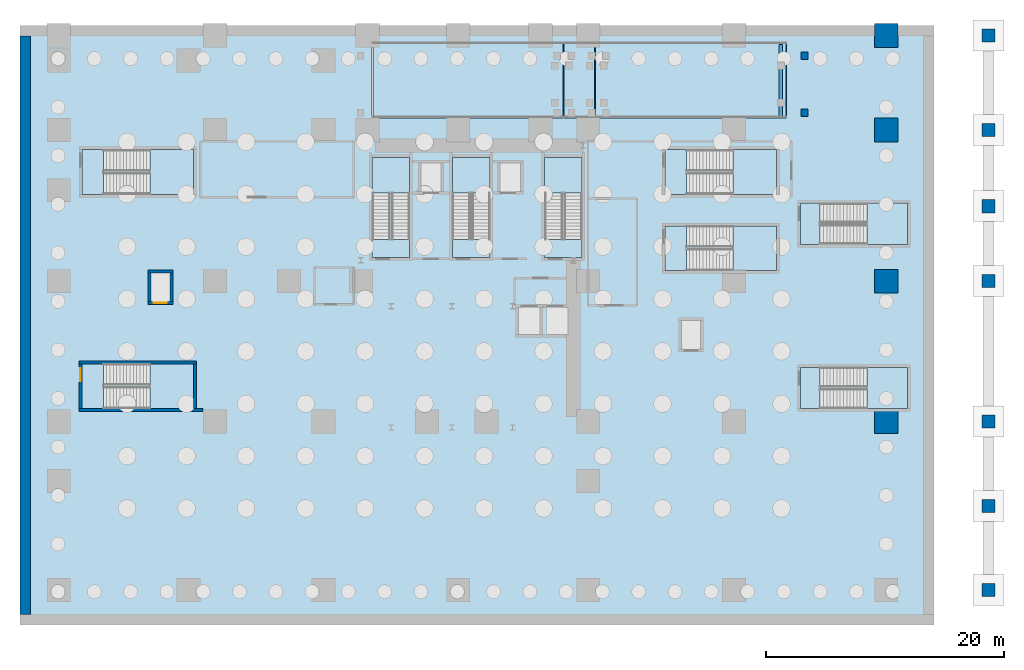
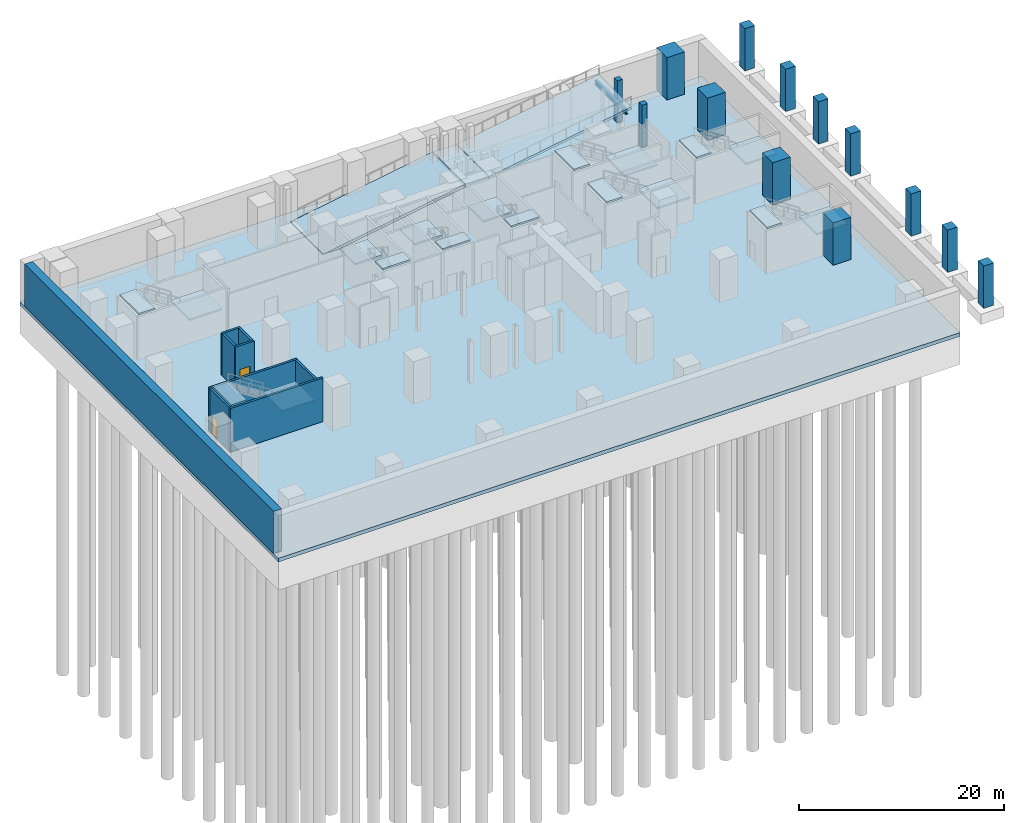
# One storey, part 3 of 14: 22 slabs, 13 columns, 9 walls, 2 doors, 1 beam, 2 openings, 9 elements without a shape of their own.
"""IFC4 building model written with IfcOpenShell, lengths in metres."""

from ifc_helpers import new_model, si_unit, direction, frame, frame_2d, origin, origin_2d, place, context, subcontext, project, spatial, polyline, rectangle, i_section, outline, extrude, source, transform, mapped, material, layer, layer_set, material_profile, profile_set, type_object, element, fill, aggregate, save


model = new_model("IFC4")

# Units and contexts
model_context = context("Model", 3, precision=1e-05, world=origin(), true_north=direction((0.0, 1.0)))
body_context = subcontext(model_context, "Body", "Model", "MODEL_VIEW")
ifc_project = project(units=[si_unit("LENGTHUNIT", "METRE"), si_unit("AREAUNIT", "SQUARE_METRE"), si_unit("VOLUMEUNIT", "CUBIC_METRE"), si_unit("PLANEANGLEUNIT", "RADIAN"), si_unit("MASSUNIT", "GRAM", prefix="KILO")], contexts=[model_context])

# Site, building, storey
site_placement = place(None, origin())
site = spatial("IfcSite", under=ifc_project, at=site_placement, CompositionType="ELEMENT")
building_placement = place(site_placement, origin())
building = spatial("IfcBuilding", under=site, at=building_placement, Name="Vardaveli Station Tower", CompositionType="ELEMENT")
storey_placement = place(building_placement, frame((0.0, 0.0, -11.39990234375)))
storey = spatial("IfcBuildingStorey", under=building, at=storey_placement, Name="B02", CompositionType="ELEMENT", Elevation=-11.39990234375)

# Columns
ifc_material_1 = material(Name="Concrete C70/85", Category="concrete")
ifc_material_profile_1 = material_profile(ifc_material_1, rectangle(XDim=2.0, YDim=2.0, at=origin_2d()), Name="SC 2000x2000")
ifc_profile_set_1 = profile_set([ifc_material_profile_1], Name="Concrete C70/85")
column_type_1 = type_object("IfcColumnType", Name="COL-SC-2000", PredefinedType="COLUMN", material=ifc_profile_set_1)
shared_shape_1 = source(origin(), body_context, "Body", "SweptSolid", [
    extrude(rectangle(XDim=2.0, YDim=2.0, at=origin_2d()), origin(), (0.0, 0.0, 1.0), 5.039794921875),
])
for number, where, z_axis, x_axis, name in (
    (1, (72.800048828125, 17.10009765625, 0.0), (0.0, 0.0, 1.0), (1.0, 0.0, 0.0), "COL-B02-SC15"),
    (2, (72.800048828125, 28.89990234375, 0.0), (0.0, 0.0, 1.0), (1.0, 0.0, 0.0), "COL-B02-SC19"),
    (3, (72.800048828125, 41.60009765625, 0.0), (0.0, 0.0, 1.0), (1.0, 0.0, 0.0), "COL-B02-SC27"),
    (4, (72.800048828125, 49.550048828125, 0.0), (0.0, 0.0, 1.0), (1.0, 0.0, 0.0), "COL-B02-SC36"),
):
    element("IfcColumn", number, at=place(storey_placement, frame(where, z_axis=z_axis, x_axis=x_axis)), inside=storey, type_object=column_type_1, Name=name, PredefinedType="COLUMN", context=body_context, shape_type="MappedRepresentation", body=[
        mapped(shared_shape_1, transform((0.0, 0.0, 0.0), scale=1.0)),
    ])
ifc_material_2 = material(Name="Concrete C60/75", Category="concrete")
ifc_material_profile_2 = material_profile(ifc_material_2, rectangle(XDim=1.10009765625, YDim=1.10009765625, at=origin_2d()), Name="RC 1100x1100")
ifc_profile_set_2 = profile_set([ifc_material_profile_2], Name="Concrete C60/75")
column_type_2 = type_object("IfcColumnType", Name="COL-RC-1100", PredefinedType="COLUMN", material=ifc_profile_set_2)
shared_shape_2 = source(origin(), body_context, "Body", "SweptSolid", [
    extrude(rectangle(XDim=1.10009765625, YDim=1.10009765625, at=origin_2d()), origin(), (0.0, 0.0, 1.0), 5.039794921875),
])
for number, where, z_axis, x_axis, name in (
    (5, (81.39990234375, 2.949951171875, 0.0), (0.0, 0.0, 1.0), (1.0, 0.0, 0.0), "COL-B02-EC01"),
    (6, (81.39990234375, 10.0, 0.0), (0.0, 0.0, 1.0), (1.0, 0.0, 0.0), "COL-B02-EC02"),
    (7, (81.39990234375, 17.10009765625, 0.0), (0.0, 0.0, 1.0), (1.0, 0.0, 0.0), "COL-B02-EC03"),
    (8, (81.39990234375, 28.89990234375, 0.0), (0.0, 0.0, 1.0), (1.0, 0.0, 0.0), "COL-B02-EC04"),
    (9, (81.39990234375, 35.199951171875, 0.0), (0.0, 0.0, 1.0), (1.0, 0.0, 0.0), "COL-B02-EC05"),
    (10, (81.39990234375, 41.60009765625, 0.0), (0.0, 0.0, 1.0), (1.0, 0.0, 0.0), "COL-B02-EC06"),
    (11, (81.39990234375, 49.550048828125, 0.0), (0.0, 0.0, 1.0), (1.0, 0.0, 0.0), "COL-B02-EC07"),
):
    element("IfcColumn", number, at=place(storey_placement, frame(where, z_axis=z_axis, x_axis=x_axis)), inside=storey, type_object=column_type_2, Name=name, PredefinedType="COLUMN", context=body_context, shape_type="MappedRepresentation", body=[
        mapped(shared_shape_2, transform((0.0, 0.0, 0.0), scale=1.0)),
    ])
ifc_material_3 = material(Name="Concrete C50/60", Category="concrete")
ifc_material_profile_3 = material_profile(ifc_material_3, rectangle(XDim=0.60009765625, YDim=0.60009765625, at=origin_2d()), Name="RC 600x600")
ifc_profile_set_3 = profile_set([ifc_material_profile_3], Name="Concrete C50/60")
column_type_3 = type_object("IfcColumnType", Name="COL-RC-600", PredefinedType="COLUMN", material=ifc_profile_set_3)
shared_shape_3 = source(origin(), body_context, "Body", "SweptSolid", [
    extrude(rectangle(XDim=0.60009765625, YDim=0.60009765625, at=origin_2d()), origin(), (0.0, 0.0, 1.0), 5.039794921875),
])
for number, where, z_axis, x_axis, name in (
    (12, (65.93994140625, 43.050048828125, 0.0), (0.0, 0.0, 1.0), (1.0, 0.0, 0.0), "RMP-VEH-01-COLTB2-1"),
    (13, (65.93994140625, 47.85009765625, 0.0), (0.0, 0.0, 1.0), (1.0, 0.0, 0.0), "RMP-VEH-01-COLTB2-2"),
):
    element("IfcColumn", number, at=place(storey_placement, frame(where, z_axis=z_axis, x_axis=x_axis)), inside=storey, type_object=column_type_3, Name=name, PredefinedType="COLUMN", context=body_context, shape_type="MappedRepresentation", body=[
        mapped(shared_shape_3, transform((0.0, 0.0, 0.0), scale=1.0)),
    ])

# Beam
ifc_material_4 = material(Name="Structural steel S355J2", Category="steel")
ifc_material_profile_4 = material_profile(ifc_material_4, i_section(OverallWidth=0.300048828125, OverallDepth=0.449951171875, WebThickness=0.013916015625, FlangeThickness=0.02587890625, FilletRadius=0.027099609375, at=origin_2d()), Name="HEB 450")
ifc_profile_set_4 = profile_set([ifc_material_profile_4], Name="Structural steel S355J2")
beam_type = type_object("IfcBeamType", Name="BM-HEB450", PredefinedType="BEAM", material=ifc_profile_set_4)
shared_shape_4 = source(origin(), body_context, "Body", "SweptSolid", [
    extrude(i_section(OverallWidth=0.300048828125, OverallDepth=0.449951171875, WebThickness=0.013916015625, FlangeThickness=0.02587890625, FilletRadius=0.027099609375, at=origin_2d()), origin(), (0.0, 0.0, 1.0), 6.0),
])
beam_placement = place(storey_placement, frame((63.93994140625, 42.800048828125, 4.76904296875), z_axis=(0.0, 1.0, 0.0), x_axis=(-1.0, 0.0, 0.0)))
element("IfcBeam", 14, at=beam_placement, inside=storey, type_object=beam_type, Name="RMP-VEH-02-HBTOP", PredefinedType="BEAM", context=body_context, shape_type="MappedRepresentation", body=[
    mapped(shared_shape_4, transform((0.0, 0.0, 0.0), scale=1.0)),
])

# Slab
ifc_material_5 = material(Name="Concrete C40/50", Category="concrete")
ifc_layer_1 = layer(ifc_material_5, 0.449951171875, Name="Concrete C40/50")
ifc_layer_set_1 = layer_set([ifc_layer_1], Name="Concrete C40/50")
slab_type_1 = type_object("IfcSlabType", Name="SLB-BASE-450", PredefinedType="BASESLAB", material=ifc_layer_set_1)
slab_1_placement = place(storey_placement, frame((0.0, 0.0, -0.4501953125)))
element("IfcSlab", 15, at=slab_1_placement, inside=storey, type_object=slab_type_1, Name="SLB-B02-MAIN", PredefinedType="BASESLAB", context=body_context, shape_type="SweptSolid", body=[
    extrude(outline(polyline([(0.0, 0.0), (76.800048828125, 0.0), (76.800048828125, 50.39990234375), (0.0, 50.39990234375), (0.0, 0.0)]), holes=[polyline([(29.60009765625, 42.60009765625), (31.85009765625, 42.60009765625), (31.85009765625, 49.0), (29.60009765625, 49.0), (29.60009765625, 42.60009765625)])]), origin(), (0.0, 0.0, 1.0), 0.4501953125),
])

# Stair, slabs
stair_type_1 = type_object("IfcStairType", Name="STR-CORE-1500", PredefinedType="HALF_TURN_STAIR", material=ifc_material_5)
stair_1_placement = place(storey_placement, origin())
stair_1 = element("IfcStair", 16, at=stair_1_placement, inside=storey, type_object=stair_type_1, Name="B02 ST-1", PredefinedType="HALF_TURN_STAIR")
ifc_layer_2 = layer(ifc_material_5, 0.199951171875, Name="Concrete C40/50")
ifc_layer_set_2 = layer_set([ifc_layer_2], Name="Concrete C40/50")
slab_type_2 = type_object("IfcSlabType", Name="SLB-LAND-200", PredefinedType="LANDING", material=ifc_layer_set_2)
slab_2_placement = place(storey_placement, frame((0.0, 0.0, 2.5)))
slab_2 = element("IfcSlab", 17, at=slab_2_placement, type_object=slab_type_2, Name="ST-1 landing 1", PredefinedType="LANDING", context=body_context, shape_type="SweptSolid", body=[
    extrude(outline(polyline([(32.75, 36.320068359375), (32.75, 39.300048828125), (29.60009765625, 39.300048828125), (29.60009765625, 36.320068359375), (32.75, 36.320068359375)])), origin(), (0.0, 0.0, 1.0), 0.199951171875),
])
slab_3_placement = place(storey_placement, frame((0.0, 0.0, 5.199951171875)))
slab_3 = element("IfcSlab", 18, at=slab_3_placement, type_object=slab_type_2, Name="ST-1 landing 2", PredefinedType="LANDING", context=body_context, shape_type="SweptSolid", body=[
    extrude(outline(polyline([(32.75, 30.89990234375), (32.75, 32.39990234375), (29.60009765625, 32.39990234375), (29.60009765625, 30.89990234375), (32.75, 30.89990234375)])), origin(), (0.0, 0.0, 1.0), 0.199951171875),
])
aggregate(stair_1, [slab_2, slab_3])

stair_2_placement = place(storey_placement, origin())
stair_2 = element("IfcStair", 19, at=stair_2_placement, inside=storey, type_object=stair_type_1, Name="B02 ST-2", PredefinedType="HALF_TURN_STAIR")
slab_4_placement = place(storey_placement, frame((0.0, 0.0, 2.5)))
slab_4 = element("IfcSlab", 20, at=slab_4_placement, type_object=slab_type_2, Name="ST-2 landing 1", PredefinedType="LANDING", context=body_context, shape_type="SweptSolid", body=[
    extrude(outline(polyline([(39.5, 36.320068359375), (39.5, 39.300048828125), (36.35009765625, 39.300048828125), (36.35009765625, 36.320068359375), (39.5, 36.320068359375)])), origin(), (0.0, 0.0, 1.0), 0.199951171875),
])
slab_5_placement = place(storey_placement, frame((0.0, 0.0, 5.199951171875)))
slab_5 = element("IfcSlab", 21, at=slab_5_placement, type_object=slab_type_2, Name="ST-2 landing 2", PredefinedType="LANDING", context=body_context, shape_type="SweptSolid", body=[
    extrude(outline(polyline([(39.5, 30.89990234375), (39.5, 32.39990234375), (36.35009765625, 32.39990234375), (36.35009765625, 30.89990234375), (39.5, 30.89990234375)])), origin(), (0.0, 0.0, 1.0), 0.199951171875),
])
aggregate(stair_2, [slab_4, slab_5])

stair_3_placement = place(storey_placement, origin())
stair_3 = element("IfcStair", 22, at=stair_3_placement, inside=storey, type_object=stair_type_1, Name="B02 ST-3", PredefinedType="HALF_TURN_STAIR")
slab_6_placement = place(storey_placement, frame((0.0, 0.0, 2.5)))
slab_6 = element("IfcSlab", 23, at=slab_6_placement, type_object=slab_type_2, Name="ST-3 landing 1", PredefinedType="LANDING", context=body_context, shape_type="SweptSolid", body=[
    extrude(outline(polyline([(47.25, 36.320068359375), (47.25, 39.300048828125), (44.10009765625, 39.300048828125), (44.10009765625, 36.320068359375), (47.25, 36.320068359375)])), origin(), (0.0, 0.0, 1.0), 0.199951171875),
])
slab_7_placement = place(storey_placement, frame((0.0, 0.0, 5.199951171875)))
slab_7 = element("IfcSlab", 24, at=slab_7_placement, type_object=slab_type_2, Name="ST-3 landing 2", PredefinedType="LANDING", context=body_context, shape_type="SweptSolid", body=[
    extrude(outline(polyline([(47.25, 30.89990234375), (47.25, 32.39990234375), (44.10009765625, 32.39990234375), (44.10009765625, 30.89990234375), (47.25, 30.89990234375)])), origin(), (0.0, 0.0, 1.0), 0.199951171875),
])
aggregate(stair_3, [slab_6, slab_7])

stair_type_2 = type_object("IfcStairType", Name="STR-POD-1800", PredefinedType="HALF_TURN_STAIR", material=ifc_material_5)
stair_4_placement = place(storey_placement, origin())
stair_4 = element("IfcStair", 25, at=stair_4_placement, inside=storey, type_object=stair_type_2, Name="B02 ST-S1", PredefinedType="HALF_TURN_STAIR")
slab_8_placement = place(storey_placement, frame((0.0, 0.0, 2.5)))
slab_8 = element("IfcSlab", 26, at=slab_8_placement, type_object=slab_type_2, Name="ST-S1 landing 1", PredefinedType="LANDING", context=body_context, shape_type="SweptSolid", body=[
    extrude(outline(polyline([(10.919921875, 18.199951171875), (14.60009765625, 18.199951171875), (14.60009765625, 21.949951171875), (10.919921875, 21.949951171875), (10.919921875, 18.199951171875)])), origin(), (0.0, 0.0, 1.0), 0.199951171875),
])
slab_9_placement = place(storey_placement, frame((0.0, 0.0, 5.199951171875)))
slab_9 = element("IfcSlab", 27, at=slab_9_placement, type_object=slab_type_2, Name="ST-S1 landing 2", PredefinedType="LANDING", context=body_context, shape_type="SweptSolid", body=[
    extrude(outline(polyline([(5.199951171875, 18.199951171875), (7.0, 18.199951171875), (7.0, 21.949951171875), (5.199951171875, 21.949951171875), (5.199951171875, 18.199951171875)])), origin(), (0.0, 0.0, 1.0), 0.199951171875),
])
aggregate(stair_4, [slab_8, slab_9])

stair_5_placement = place(storey_placement, origin())
stair_5 = element("IfcStair", 28, at=stair_5_placement, inside=storey, type_object=stair_type_2, Name="B02 ST-S2", PredefinedType="HALF_TURN_STAIR")
slab_10_placement = place(storey_placement, frame((0.0, 0.0, 2.5)))
slab_10 = element("IfcSlab", 29, at=slab_10_placement, type_object=slab_type_2, Name="ST-S2 landing 1", PredefinedType="LANDING", context=body_context, shape_type="SweptSolid", body=[
    extrude(outline(polyline([(59.919921875, 29.800048828125), (63.60009765625, 29.800048828125), (63.60009765625, 33.550048828125), (59.919921875, 33.550048828125), (59.919921875, 29.800048828125)])), origin(), (0.0, 0.0, 1.0), 0.199951171875),
])
slab_11_placement = place(storey_placement, frame((0.0, 0.0, 5.199951171875)))
slab_11 = element("IfcSlab", 30, at=slab_11_placement, type_object=slab_type_2, Name="ST-S2 landing 2", PredefinedType="LANDING", context=body_context, shape_type="SweptSolid", body=[
    extrude(outline(polyline([(54.199951171875, 29.800048828125), (56.0, 29.800048828125), (56.0, 33.550048828125), (54.199951171875, 33.550048828125), (54.199951171875, 29.800048828125)])), origin(), (0.0, 0.0, 1.0), 0.199951171875),
])
aggregate(stair_5, [slab_10, slab_11])

stair_6_placement = place(storey_placement, origin())
stair_6 = element("IfcStair", 31, at=stair_6_placement, inside=storey, type_object=stair_type_2, Name="B02 ST-P1", PredefinedType="HALF_TURN_STAIR")
slab_12_placement = place(storey_placement, frame((0.0, 0.0, 2.5)))
slab_12 = element("IfcSlab", 32, at=slab_12_placement, type_object=slab_type_2, Name="ST-P1 landing 1", PredefinedType="LANDING", context=body_context, shape_type="SweptSolid", body=[
    extrude(outline(polyline([(10.919921875, 36.199951171875), (14.60009765625, 36.199951171875), (14.60009765625, 39.949951171875), (10.919921875, 39.949951171875), (10.919921875, 36.199951171875)])), origin(), (0.0, 0.0, 1.0), 0.199951171875),
])
slab_13_placement = place(storey_placement, frame((0.0, 0.0, 5.199951171875)))
slab_13 = element("IfcSlab", 33, at=slab_13_placement, type_object=slab_type_2, Name="ST-P1 landing 2", PredefinedType="LANDING", context=body_context, shape_type="SweptSolid", body=[
    extrude(outline(polyline([(5.199951171875, 36.199951171875), (7.0, 36.199951171875), (7.0, 39.949951171875), (5.199951171875, 39.949951171875), (5.199951171875, 36.199951171875)])), origin(), (0.0, 0.0, 1.0), 0.199951171875),
])
aggregate(stair_6, [slab_12, slab_13])

stair_7_placement = place(storey_placement, origin())
stair_7 = element("IfcStair", 34, at=stair_7_placement, inside=storey, type_object=stair_type_2, Name="B02 ST-P2", PredefinedType="HALF_TURN_STAIR")
slab_14_placement = place(storey_placement, frame((0.0, 0.0, 2.5)))
slab_14 = element("IfcSlab", 35, at=slab_14_placement, type_object=slab_type_2, Name="ST-P2 landing 1", PredefinedType="LANDING", context=body_context, shape_type="SweptSolid", body=[
    extrude(outline(polyline([(59.919921875, 36.199951171875), (63.60009765625, 36.199951171875), (63.60009765625, 39.949951171875), (59.919921875, 39.949951171875), (59.919921875, 36.199951171875)])), origin(), (0.0, 0.0, 1.0), 0.199951171875),
])
slab_15_placement = place(storey_placement, frame((0.0, 0.0, 5.199951171875)))
slab_15 = element("IfcSlab", 36, at=slab_15_placement, type_object=slab_type_2, Name="ST-P2 landing 2", PredefinedType="LANDING", context=body_context, shape_type="SweptSolid", body=[
    extrude(outline(polyline([(54.199951171875, 36.199951171875), (56.0, 36.199951171875), (56.0, 39.949951171875), (54.199951171875, 39.949951171875), (54.199951171875, 36.199951171875)])), origin(), (0.0, 0.0, 1.0), 0.199951171875),
])
aggregate(stair_7, [slab_14, slab_15])

stair_type_3 = type_object("IfcStairType", Name="STR-FEAT-1650", PredefinedType="STRAIGHT_RUN_STAIR", material=ifc_material_4)
stair_8_placement = place(storey_placement, origin())
stair_8 = element("IfcStair", 37, at=stair_8_placement, inside=storey, type_object=stair_type_3, Name="B02 ST-C1", PredefinedType="HALF_TURN_STAIR")
slab_16_placement = place(storey_placement, frame((0.0, 0.0, 2.5)))
slab_16 = element("IfcSlab", 38, at=slab_16_placement, type_object=slab_type_2, Name="ST-C1 landing 1", PredefinedType="LANDING", context=body_context, shape_type="SweptSolid", body=[
    extrude(outline(polyline([(71.169921875, 18.199951171875), (74.60009765625, 18.199951171875), (74.60009765625, 21.64990234375), (71.169921875, 21.64990234375), (71.169921875, 18.199951171875)])), origin(), (0.0, 0.0, 1.0), 0.199951171875),
])
slab_17_placement = place(storey_placement, frame((0.0, 0.0, 5.199951171875)))
slab_17 = element("IfcSlab", 39, at=slab_17_placement, type_object=slab_type_2, Name="ST-C1 landing 2", PredefinedType="LANDING", context=body_context, shape_type="SweptSolid", body=[
    extrude(outline(polyline([(65.60009765625, 18.199951171875), (67.25, 18.199951171875), (67.25, 21.64990234375), (65.60009765625, 21.64990234375), (65.60009765625, 18.199951171875)])), origin(), (0.0, 0.0, 1.0), 0.199951171875),
])
aggregate(stair_8, [slab_16, slab_17])

stair_9_placement = place(storey_placement, origin())
stair_9 = element("IfcStair", 40, at=stair_9_placement, inside=storey, type_object=stair_type_3, Name="B02 ST-C2", PredefinedType="HALF_TURN_STAIR")
slab_18_placement = place(storey_placement, frame((0.0, 0.0, 2.5)))
slab_18 = element("IfcSlab", 41, at=slab_18_placement, type_object=slab_type_2, Name="ST-C2 landing 1", PredefinedType="LANDING", context=body_context, shape_type="SweptSolid", body=[
    extrude(outline(polyline([(71.169921875, 32.0), (74.60009765625, 32.0), (74.60009765625, 35.449951171875), (71.169921875, 35.449951171875), (71.169921875, 32.0)])), origin(), (0.0, 0.0, 1.0), 0.199951171875),
])
slab_19_placement = place(storey_placement, frame((0.0, 0.0, 5.199951171875)))
slab_19 = element("IfcSlab", 42, at=slab_19_placement, type_object=slab_type_2, Name="ST-C2 landing 2", PredefinedType="LANDING", context=body_context, shape_type="SweptSolid", body=[
    extrude(outline(polyline([(65.60009765625, 32.0), (67.25, 32.0), (67.25, 35.449951171875), (65.60009765625, 35.449951171875), (65.60009765625, 32.0)])), origin(), (0.0, 0.0, 1.0), 0.199951171875),
])
aggregate(stair_9, [slab_18, slab_19])

# Slabs
ifc_layer_3 = layer(ifc_material_3, 0.39990234375, Name="Concrete C50/60")
ifc_layer_set_3 = layer_set([ifc_layer_3], Name="Concrete C50/60")
slab_type_3 = type_object("IfcSlabType", Name="SLB-TRANS-400", PredefinedType="FLOOR", material=ifc_layer_set_3)
slab_20_placement = place(storey_placement, frame((0.0, 0.0, 2.2998046875)))
element("IfcSlab", 43, at=slab_20_placement, inside=storey, type_object=slab_type_3, Name="Vehicle Parking Ramp Landing Slab RMP-VEH-02-LND", PredefinedType="FLOOR", context=body_context, shape_type="SweptSolid", body=[
    extrude(outline(polyline([(45.699951171875, 42.60009765625), (48.300048828125, 42.60009765625), (48.300048828125, 49.0), (45.699951171875, 49.0), (45.699951171875, 42.60009765625)])), origin(), (0.0, 0.0, 1.0), 0.400146484375),
])
ifc_layer_4 = layer(ifc_material_5, 0.300048828125, Name="Concrete C40/50")
ifc_layer_set_4 = layer_set([ifc_layer_4], Name="Concrete C40/50")
slab_type_4 = type_object("IfcSlabType", Name="SLB-VEHRAMP-300", PredefinedType="FLOOR", material=ifc_layer_set_4)
slab_21_placement = place(storey_placement, frame((48.360107421875, 42.60009765625, 2.699951171875), z_axis=(-0.166093848978, 0.0, 0.98610994992), x_axis=(0.98610994992, 0.0, 0.166093848978)))
element("IfcSlab", 44, at=slab_21_placement, inside=storey, type_object=slab_type_4, Name="Vehicle Parking Ramp Slab RMP-VEH-02-F1", PredefinedType="FLOOR", context=body_context, shape_type="SweptSolid", body=[
    extrude(outline(polyline([(0.0, 0.0), (16.255615234375, 0.0), (16.255615234375, 6.39990234375), (0.0, 6.39990234375), (0.0, 0.0)])), origin(), (0.0, 0.0, -1.0), 0.300048828125),
])
slab_22_placement = place(storey_placement, frame((29.659912109375, 42.60009765625, 0.0), z_axis=(-0.166597166606, 0.0, 0.986025042318), x_axis=(0.986025042318, 0.0, 0.166597166606)))
element("IfcSlab", 45, at=slab_22_placement, inside=storey, type_object=slab_type_4, Name="Vehicle Parking Ramp Slab RMP-VEH-02-F2", PredefinedType="FLOOR", context=body_context, shape_type="SweptSolid", body=[
    extrude(outline(polyline([(0.0, 0.0), (16.20654296875, 0.0), (16.20654296875, 6.39990234375), (0.0, 6.39990234375), (0.0, 0.0)])), origin(), (0.0, 0.0, -1.0), 0.300048828125),
])

# Walls
ifc_layer_5 = layer(ifc_material_5, 0.89990234375, Name="Concrete C40/50")
ifc_layer_set_5 = layer_set([ifc_layer_5], Name="Concrete C40/50")
wall_type_1 = type_object("IfcWallType", Name="WAL-RET-900", PredefinedType="SOLIDWALL", material=ifc_layer_set_5)
shared_shape_5 = source(origin(), body_context, "Body", "SweptSolid", [
    extrude(rectangle(XDim=48.60009765625, YDim=0.89990234375, at=frame_2d((24.300048828125, 0.0))), origin(), (0.0, 0.0, 1.0), 5.039794921875),
])
wall_1_placement = place(storey_placement, frame((0.449951171875, 0.89990234375, 0.0), z_axis=(0.0, 0.0, 1.0), x_axis=(0.0, 1.0, 0.0)))
element("IfcWall", 46, at=wall_1_placement, inside=storey, type_object=wall_type_1, Name="BW-B02-W", PredefinedType="SOLIDWALL", context=body_context, shape_type="MappedRepresentation", body=[
    mapped(shared_shape_5, transform((0.0, 0.0, 0.0), scale=1.0)),
])
ifc_layer_6 = layer(ifc_material_5, 0.25, Name="Concrete C40/50")
ifc_layer_set_6 = layer_set([ifc_layer_6], Name="Concrete C40/50")
wall_type_2 = type_object("IfcWallType", Name="WAL-SHAFT-250", PredefinedType="SOLIDWALL", material=ifc_layer_set_6)
shared_shape_6 = source(origin(), body_context, "Body", "SweptSolid", [
    extrude(rectangle(XDim=10.449951171875, YDim=0.25, at=frame_2d((5.22509765625, 0.0))), origin(), (0.0, 0.0, 1.0), 5.199951171875),
])
wall_2_placement = place(storey_placement, frame((4.949951171875, 18.074951171875, 0.0), z_axis=(0.0, 0.0, 1.0), x_axis=(1.0, 0.0, 0.0)))
element("IfcWall", 47, at=wall_2_placement, inside=storey, type_object=wall_type_2, Name="W-B02-ST-S1S", PredefinedType="SOLIDWALL", context=body_context, shape_type="MappedRepresentation", body=[
    mapped(shared_shape_6, transform((0.0, 0.0, 0.0), scale=1.0)),
])
shared_shape_7 = source(origin(), body_context, "Body", "SweptSolid", [
    extrude(rectangle(XDim=9.900146484375, YDim=0.25, at=frame_2d((4.9501953125, 0.0))), origin(), (0.0, 0.0, 1.0), 5.199951171875),
])
wall_3_placement = place(storey_placement, frame((4.949951171875, 22.074951171875, 0.0), z_axis=(0.0, 0.0, 1.0), x_axis=(1.0, 0.0, 0.0)))
element("IfcWall", 48, at=wall_3_placement, inside=storey, type_object=wall_type_2, Name="W-B02-ST-S1N", PredefinedType="SOLIDWALL", context=body_context, shape_type="MappedRepresentation", body=[
    mapped(shared_shape_7, transform((0.0, 0.0, 0.0), scale=1.0)),
])
shared_shape_8 = source(origin(), body_context, "Body", "SweptSolid", [
    extrude(rectangle(XDim=3.75, YDim=0.25, at=frame_2d((1.875, 0.0))), origin(), (0.0, 0.0, 1.0), 5.199951171875),
])
wall_4_placement = place(storey_placement, frame((14.72509765625, 18.199951171875, 0.0), z_axis=(0.0, 0.0, 1.0), x_axis=(0.0, 1.0, 0.0)))
element("IfcWall", 49, at=wall_4_placement, inside=storey, type_object=wall_type_2, Name="W-B02-ST-S1E", PredefinedType="SOLIDWALL", context=body_context, shape_type="MappedRepresentation", body=[
    mapped(shared_shape_8, transform((0.0, 0.0, 0.0), scale=1.0)),
])

# Wall, opening, door
wall_5_placement = place(storey_placement, frame((5.074951171875, 18.199951171875, 0.0), z_axis=(0.0, 0.0, 1.0), x_axis=(0.0, 1.0, 0.0)))
wall_5 = element("IfcWall", 50, at=wall_5_placement, inside=storey, type_object=wall_type_2, Name="W-B02-ST-S1W", PredefinedType="SOLIDWALL", context=body_context, shape_type="MappedRepresentation", body=[
    mapped(shared_shape_8, transform((0.0, 0.0, 0.0), scale=1.0)),
])
shared_shape_9 = source(origin(), body_context, "Body", "SweptSolid", [
    extrude(rectangle(XDim=1.10009765625, YDim=2.199951171875, at=frame_2d((0.550048828125, 1.10009765625))), frame((0.0, 0.135009765625, 0.0), z_axis=(0.0, -1.0, 0.0), x_axis=(1.0, 0.0, 0.0)), (0.0, 0.0, 1.0), 0.27001953125),
])
opening_1_placement = place(wall_5_placement, frame((2.300048828125, 0.0, 0.0)))
opening_1 = element("IfcOpeningElement", 51, at=opening_1_placement, cuts=wall_5, Name="Opening D-04", PredefinedType="OPENING", context=body_context, shape_type="MappedRepresentation", body=[
    mapped(shared_shape_9, transform((0.0, 0.0, 0.0), scale=1.0)),
])
ifc_material_6 = material(Name="Steel smokeproof fire doorset", Category="steel")
door_type_1 = type_object("IfcDoorType", Name="DR-ST-1100x2200", OperationType="NOTDEFINED", PredefinedType="DOOR", material=ifc_material_6)
shared_shape_10 = source(origin(), body_context, "Body", "SweptSolid", [
    extrude(rectangle(XDim=1.10009765625, YDim=2.199951171875, at=frame_2d((0.550048828125, 1.10009765625))), frame((0.0, 0.02490234375, 0.0), z_axis=(0.0, -1.0, 0.0), x_axis=(1.0, 0.0, 0.0)), (0.0, 0.0, 1.0), 0.050048828125),
])
door_1_placement = place(opening_1_placement, origin())
door_1 = element("IfcDoor", 52, at=door_1_placement, inside=storey, type_object=door_type_1, Name="DST-S1-B02", OperationType="SINGLE_SWING_RIGHT", OverallHeight=2.199951171875, OverallWidth=1.10009765625, PredefinedType="DOOR", context=body_context, shape_type="MappedRepresentation", body=[
    mapped(shared_shape_10, transform((0.0, 0.0, 0.0), scale=1.0)),
])
fill(opening_1, door_1)

shared_shape_11 = source(origin(), body_context, "Body", "SweptSolid", [
    extrude(rectangle(XDim=2.10009765625, YDim=0.25, at=frame_2d((1.050048828125, 0.0))), origin(), (0.0, 0.0, 1.0), 5.039794921875),
])
wall_6_placement = place(storey_placement, frame((10.75, 27.074951171875, 0.0), z_axis=(0.0, 0.0, 1.0), x_axis=(1.0, 0.0, 0.0)))
wall_6 = element("IfcWall", 53, at=wall_6_placement, inside=storey, type_object=wall_type_2, Name="SHW-STN-01-B02-S", PredefinedType="SOLIDWALL", context=body_context, shape_type="MappedRepresentation", body=[
    mapped(shared_shape_11, transform((0.0, 0.0, 0.0), scale=1.0)),
])
opening_2_placement = place(wall_6_placement, frame((0.5, 0.0, 0.0)))
opening_2 = element("IfcOpeningElement", 54, at=opening_2_placement, cuts=wall_6, Name="Opening LD-01", PredefinedType="OPENING", context=body_context, shape_type="MappedRepresentation", body=[
    mapped(shared_shape_9, transform((0.0, 0.0, 0.0), scale=1.0)),
])
ifc_material_7 = material(Name="Brushed stainless steel", Category="steel")
door_type_2 = type_object("IfcDoorType", Name="DR-LD-1100x2200", OperationType="DOUBLE_DOOR_SLIDING", PredefinedType="DOOR", material=ifc_material_7)
door_2_placement = place(opening_2_placement, origin())
door_2 = element("IfcDoor", 55, at=door_2_placement, inside=storey, type_object=door_type_2, Name="LD-STN-01-B02", OperationType="DOUBLE_DOOR_SLIDING", OverallHeight=2.199951171875, OverallWidth=1.10009765625, PredefinedType="DOOR", context=body_context, shape_type="MappedRepresentation", body=[
    mapped(shared_shape_10, transform((0.0, 0.0, 0.0), scale=1.0)),
])
fill(opening_2, door_2)

# Walls
wall_7_placement = place(storey_placement, frame((10.75, 29.72509765625, 0.0), z_axis=(0.0, 0.0, 1.0), x_axis=(1.0, 0.0, 0.0)))
element("IfcWall", 56, at=wall_7_placement, inside=storey, type_object=wall_type_2, Name="SHW-STN-01-B02-N", PredefinedType="SOLIDWALL", context=body_context, shape_type="MappedRepresentation", body=[
    mapped(shared_shape_11, transform((0.0, 0.0, 0.0), scale=1.0)),
])
shared_shape_12 = source(origin(), body_context, "Body", "SweptSolid", [
    extrude(rectangle(XDim=2.400146484375, YDim=0.25, at=frame_2d((1.2001953125, 0.0))), origin(), (0.0, 0.0, 1.0), 5.039794921875),
])
for number, where, z_axis, x_axis, name in (
    (57, (10.875, 27.199951171875, 0.0), (0.0, 0.0, 1.0), (0.0, 1.0, 0.0), "SHW-STN-01-B02-W"),
    (58, (12.72509765625, 27.199951171875, 0.0), (0.0, 0.0, 1.0), (0.0, 1.0, 0.0), "SHW-STN-01-B02-E"),
):
    element("IfcWall", number, at=place(storey_placement, frame(where, z_axis=z_axis, x_axis=x_axis)), inside=storey, type_object=wall_type_2, Name=name, PredefinedType="SOLIDWALL", context=body_context, shape_type="MappedRepresentation", body=[
        mapped(shared_shape_12, transform((0.0, 0.0, 0.0), scale=1.0)),
    ])

save(model, "model.ifc")
